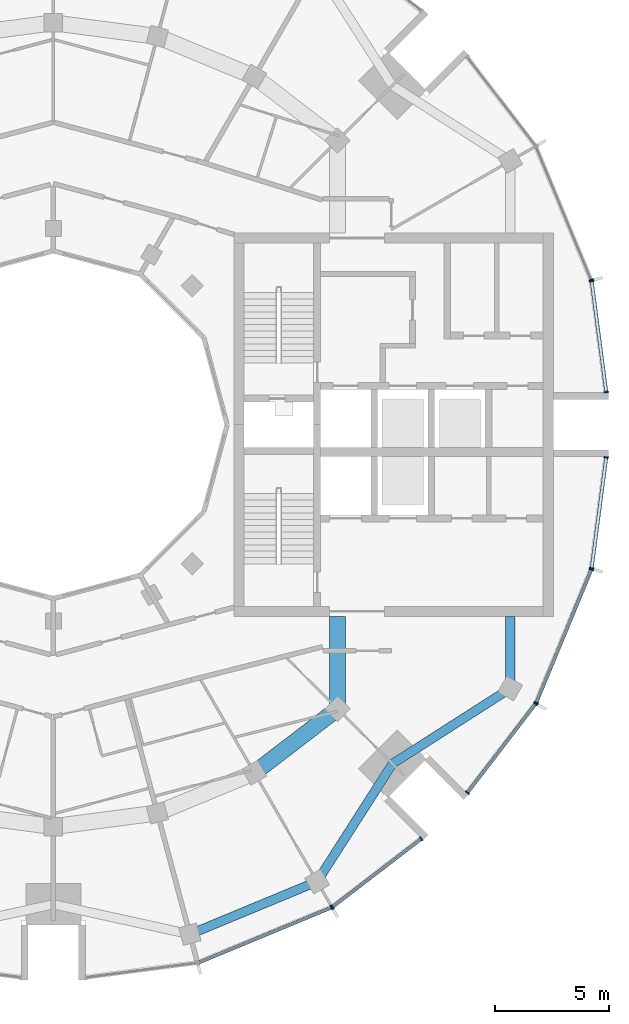
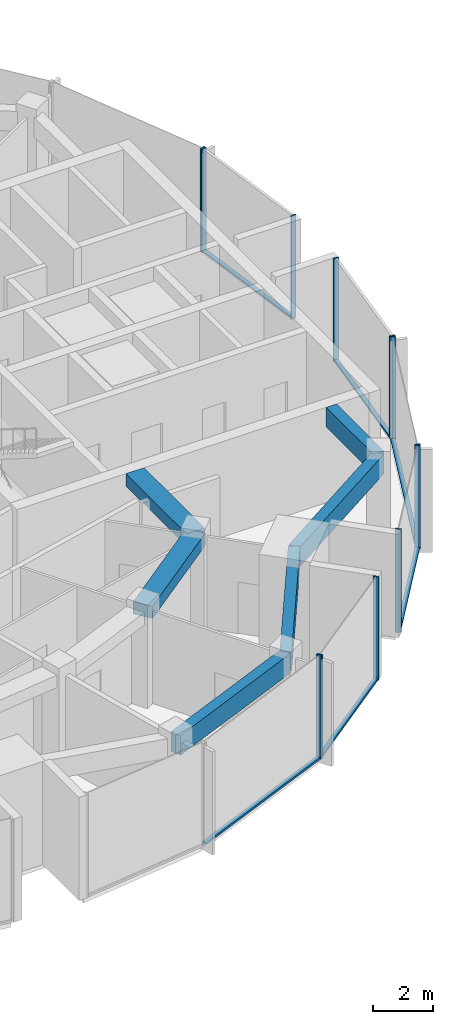
# One storey, part 4 of 15: 18 members, 6 beams, 7 elements without a shape of their own.
"""IFC4 building model written with IfcOpenShell, lengths in metres."""

import ifcopenshell
import ifcopenshell.guid

model = None  # the IFC model being written
_history = None  # IfcOwnerHistory: only IFC2X3 demands one
_inside = {}  # id of a spatial element -> (the spatial element, [elements in it])
_under = {}  # id of a project, library or spatial element -> (it, [spatial elements below it])
_declared = {}  # id of a project -> (the project, [libraries it declares])
_typed = {}  # id of a type object -> (the type object, [elements of that type])
_made_of = {}  # id of a material, layer set ... -> (it, [elements and type objects made of it])


def new_model(schema):
    """Start an empty IFC model of exactly this schema.

    Asked for "IFC4X3", IfcOpenShell would pick the latest addendum, in which some entities
    have other attributes; the version numbers below select the first issue.
    IFC2X3 requires an IfcOwnerHistory on every rooted entity: one is made here for all.
    """
    global model, _history
    if schema == "IFC4X3":
        model = ifcopenshell.file(schema_version=(4, 3, 0, 0))
    else:
        model = ifcopenshell.file(schema=schema)
    _inside.clear()
    _under.clear()
    _declared.clear()
    _typed.clear()
    _made_of.clear()
    _history = None
    if model.schema == "IFC2X3":
        org = make("IfcOrganization", Name="unknown")
        user = make(
            "IfcPersonAndOrganization",
            ThePerson=make("IfcPerson", FamilyName="unknown"),
            TheOrganization=org,
        )
        app = make(
            "IfcApplication",
            ApplicationDeveloper=org,
            Version="unknown",
            ApplicationFullName="unknown",
            ApplicationIdentifier="unknown",
        )
        _history = make(
            "IfcOwnerHistory",
            OwningUser=user,
            OwningApplication=app,
            ChangeAction="ADDED",
            CreationDate=0,
        )
    return model


def make(cls, **values):
    """One entity of the class cls with the attributes given. An attribute that is None is left unset."""
    return model.create_entity(
        cls, **{name: value for name, value in values.items() if value is not None}
    )


def rooted(cls, **values):
    """An entity with a GlobalId (a new one), such as an element, a storey or a relation."""
    return make(cls, GlobalId=ifcopenshell.guid.new(), OwnerHistory=_history, **values)


def si_unit(unit_type, name, prefix=None):
    """IfcSIUnit, for example si_unit("LENGTHUNIT", "METRE", prefix="MILLI")."""
    return make("IfcSIUnit", UnitType=unit_type, Prefix=prefix, Name=name)


def assignment(units):
    """IfcUnitAssignment: the units of a project."""
    return None if units is None else make("IfcUnitAssignment", Units=units)


def point(xyz):
    """IfcCartesianPoint."""
    return None if xyz is None else make("IfcCartesianPoint", Coordinates=xyz)


def direction(xyz):
    """IfcDirection."""
    return None if xyz is None else make("IfcDirection", DirectionRatios=xyz)


def frame(location, z_axis=None, x_axis=None):
    """IfcAxis2Placement3D, a coordinate frame: its origin and axes. An axis left out is left unset."""
    return make(
        "IfcAxis2Placement3D",
        Location=point(location),
        Axis=direction(z_axis),
        RefDirection=direction(x_axis),
    )


def frame_2d(location, x_axis=None):
    """IfcAxis2Placement2D, a coordinate frame in the plane: its origin and x axis."""
    return make(
        "IfcAxis2Placement2D", Location=point(location), RefDirection=direction(x_axis)
    )


def origin():
    """The frame at (0, 0, 0) with its axes left unset."""
    return frame((0.0, 0.0, 0.0))


def origin_2d():
    """The frame at (0, 0) in the plane with its x axis left unset."""
    return frame_2d((0.0, 0.0))


def place(relative_to, where):
    """IfcLocalPlacement: puts the frame where relative to a parent placement (None: the world)."""
    return make(
        "IfcLocalPlacement", PlacementRelTo=relative_to, RelativePlacement=where
    )


def context(
    kind, dimensions, precision=None, world=None, true_north=None, identifier=None
):
    """IfcGeometricRepresentationContext, for example the 3D "Model" context."""
    return make(
        "IfcGeometricRepresentationContext",
        ContextIdentifier=identifier,
        ContextType=kind,
        CoordinateSpaceDimension=dimensions,
        Precision=precision,
        WorldCoordinateSystem=world,
        TrueNorth=true_north,
    )


def subcontext(parent, identifier, kind, view, scale=None):
    """IfcGeometricRepresentationSubContext, for example "Body" below "Model"."""
    return make(
        "IfcGeometricRepresentationSubContext",
        ContextIdentifier=identifier,
        ContextType=kind,
        ParentContext=parent,
        TargetScale=scale,
        TargetView=view,
    )


def project(units=None, contexts=None):
    """IfcProject with its units and contexts."""
    return rooted(
        "IfcProject",
        Name="project",
        RepresentationContexts=contexts,
        UnitsInContext=assignment(units),
    )


def spatial(cls, under=None, at=None, **own):
    """A site, building, storey or space (cls), placed at a placement, below another one or the project."""
    s = rooted(cls, ObjectPlacement=at, **own)
    if under is not None:
        _under.setdefault(under.id(), (under, []))[1].append(s)
    return s


def profile(cls, at=None, kind="AREA", **sizes):
    """A parametric profile (cls). Its sizes go by their IFC names, for example OverallWidth=200.0."""
    return make(cls, ProfileType=kind, Position=at, **sizes)


def rectangle(**sizes):
    """IfcRectangleProfileDef."""
    return profile("IfcRectangleProfileDef", **sizes)


def extrude(swept, where, along, depth):
    """IfcExtrudedAreaSolid: the profile swept, set in the frame where, extruded along a direction by depth."""
    return make(
        "IfcExtrudedAreaSolid",
        SweptArea=swept,
        Position=where,
        ExtrudedDirection=direction(along),
        Depth=depth,
    )


def shape(context_of_items, identifier, shape_type, items):
    """IfcShapeRepresentation: the items that make up one representation, for example the "Body"."""
    return make(
        "IfcShapeRepresentation",
        ContextOfItems=context_of_items,
        RepresentationIdentifier=identifier,
        RepresentationType=shape_type,
        Items=items,
    )


def material(Name=None, Category=None):
    """IfcMaterial."""
    return make("IfcMaterial", Name=Name, Category=Category)


def layer(
    of_material, thickness, ventilated=None, Name=None, Category=None, Priority=None
):
    """IfcMaterialLayer: one layer of a wall or slab, of a material (None: an air gap)."""
    return make(
        "IfcMaterialLayer",
        Material=of_material,
        LayerThickness=thickness,
        IsVentilated=ventilated,
        Name=Name,
        Category=Category,
        Priority=Priority,
    )


def layer_set(layers, Name=None):
    """IfcMaterialLayerSet."""
    return make("IfcMaterialLayerSet", MaterialLayers=layers, LayerSetName=Name)


def material_profile(
    of_material, cross_section, Name=None, Category=None, Priority=None
):
    """IfcMaterialProfile: a cross section and its material."""
    return make(
        "IfcMaterialProfile",
        Name=Name,
        Material=of_material,
        Profile=cross_section,
        Priority=Priority,
        Category=Category,
    )


def profile_set(profiles, Name=None, composite=None):
    """IfcMaterialProfileSet."""
    return make(
        "IfcMaterialProfileSet",
        Name=Name,
        MaterialProfiles=profiles,
        CompositeProfile=composite,
    )


def made_of(thing, what):
    """Note that an element or type object is made of a material, layer set ...; save() writes the relation."""
    if what is not None:
        _made_of.setdefault(what.id(), (what, []))[1].append(thing)
    return thing


def type_object(cls, material=None, **own):
    """A type object (cls), such as IfcWallType, which elements share."""
    return made_of(rooted(cls, **own), material)


def element(
    cls,
    number,
    at=None,
    inside=None,
    cuts=None,
    type_object=None,
    material=None,
    context=None,
    identifier="Body",
    shape_type=None,
    held_by="IfcProductDefinitionShape",
    body=None,
    shapes=None,
    **own,
):
    """One element of the class cls, such as IfcWall. Its Tag is "e" and its number.

    at: its placement. inside: the storey or other place that contains it. cuts: it is an
    opening in that element (IfcRelVoidsElement). A single representation is given by context,
    identifier, shape_type and body (its items); several are given by shapes. held_by: the class
    of the entity that holds the representations. save() writes the other relations.
    """
    e = rooted(cls, Tag="e%d" % number, ObjectPlacement=at, **own)
    if body is not None:
        shapes = [shape(context, identifier, shape_type, body)]
    if shapes is not None:
        e.Representation = make(held_by, Representations=shapes)
    if inside is not None:
        _inside.setdefault(inside.id(), (inside, []))[1].append(e)
    if cuts is not None:
        rooted(
            "IfcRelVoidsElement", RelatingBuildingElement=cuts, RelatedOpeningElement=e
        )
    if type_object is not None:
        _typed.setdefault(type_object.id(), (type_object, []))[1].append(e)
    return made_of(e, material)


def aggregate(whole, parts):
    """IfcRelAggregates: a whole, such as a stair, and the parts it consists of."""
    return rooted("IfcRelAggregates", RelatingObject=whole, RelatedObjects=parts)


def save(model, path):
    """Write the relations noted so far, then the file.

    IfcRelAggregates (storeys below a building ...), IfcRelContainedInSpatialStructure (elements
    in a storey), IfcRelDefinesByType, IfcRelAssociatesMaterial and IfcRelDeclares: one each for
    every whole, place, type object, material and project.
    """
    for whole, parts in _under.values():
        aggregate(whole, parts)
    for where, things in _inside.values():
        rooted(
            "IfcRelContainedInSpatialStructure",
            RelatedElements=things,
            RelatingStructure=where,
        )
    for kind, things in _typed.values():
        rooted("IfcRelDefinesByType", RelatedObjects=things, RelatingType=kind)
    for what, things in _made_of.values():
        rooted("IfcRelAssociatesMaterial", RelatedObjects=things, RelatingMaterial=what)
    for by, libraries in _declared.values():
        rooted("IfcRelDeclares", RelatingContext=by, RelatedDefinitions=libraries)
    model.write(path)


model = new_model("IFC4")

# Units and contexts
model_context = context("Model", 3, precision=1e-05, world=origin(), true_north=direction((0.0, 1.0)))
body_context = subcontext(model_context, "Body", "Model", "MODEL_VIEW")
ifc_project = project(units=[si_unit("LENGTHUNIT", "METRE"), si_unit("AREAUNIT", "SQUARE_METRE"), si_unit("VOLUMEUNIT", "CUBIC_METRE"), si_unit("PLANEANGLEUNIT", "RADIAN"), si_unit("MASSUNIT", "GRAM", prefix="KILO")], contexts=[model_context])

# Site, building, storey
site_placement = place(None, origin())
site = spatial("IfcSite", under=ifc_project, at=site_placement, CompositionType="ELEMENT")
building_placement = place(site_placement, origin())
building = spatial("IfcBuilding", under=site, at=building_placement, Name="Torre Brocal", CompositionType="ELEMENT")
storey_placement = place(building_placement, frame((0.0, 0.0, 284.10009765625)))
storey = spatial("IfcBuildingStorey", under=building, at=storey_placement, Name="L65", CompositionType="ELEMENT", Elevation=284.10009765625)

# Curtain wall, member
ifc_material_1 = material(Name="Aluminium and glass", Category="aluminium")
ifc_layer_1 = layer(ifc_material_1, 0.199951171875)
ifc_layer_set_1 = layer_set([ifc_layer_1], Name="Aluminium and glass")
curtain_wall_type_1 = type_object("IfcCurtainWallType", Name="CW-1 CURTAIN WALL 4200 HIGH", PredefinedType="NOTDEFINED", material=ifc_layer_set_1)
curtain_wall_1_placement = place(storey_placement, origin())
curtain_wall_1 = element("IfcCurtainWall", 1, at=curtain_wall_1_placement, inside=storey, type_object=curtain_wall_type_1, Name="CW-1 RUN 2", PredefinedType="NOTDEFINED")
ifc_material_2 = material(Name="Aluminium, dark anodised", Category="aluminium")
ifc_material_profile_1 = material_profile(ifc_material_2, rectangle(XDim=0.199951171875, YDim=0.06005859375, at=origin_2d()), Name="CW-1 MULLION 60X200")
ifc_profile_set_1 = profile_set([ifc_material_profile_1], Name="Aluminium, dark anodised")
member_type_1 = type_object("IfcMemberType", Name="CW-1 MULLION 60X200", PredefinedType="MULLION", material=ifc_profile_set_1)
member_1_placement = place(storey_placement, frame((103.556396484375, 81.3427734375, 0.0), z_axis=(0.0, 0.0, 1.0), x_axis=(-0.923879532471, -0.382683432462, 0.0)))
member_1 = element("IfcMember", 2, at=member_1_placement, type_object=member_type_1, Name="CW1-5 mullion 1", PredefinedType="MULLION", context=body_context, shape_type="SweptSolid", body=[
    extrude(rectangle(XDim=0.199951171875, YDim=0.06005859375, at=origin_2d()), origin(), (0.0, 0.0, 1.0), 4.199951171875),
])
aggregate(curtain_wall_1, [member_1])

curtain_wall_2_placement = place(storey_placement, origin())
curtain_wall_2 = element("IfcCurtainWall", 3, at=curtain_wall_2_placement, inside=storey, type_object=curtain_wall_type_1, Name="CW-1 RUN 20", PredefinedType="NOTDEFINED")
member_2_placement = place(storey_placement, frame((92.171875, 53.858154296875, 0.0), z_axis=(0.0, 0.0, 1.0), x_axis=(-0.382683432462, 0.923879532471, 0.0)))
member_2 = element("IfcMember", 4, at=member_2_placement, type_object=member_type_1, Name="CW1-5 mullion 2", PredefinedType="MULLION", context=body_context, shape_type="SweptSolid", body=[
    extrude(rectangle(XDim=0.199951171875, YDim=0.06005859375, at=origin_2d()), origin(), (0.0, 0.0, 1.0), 4.199951171875),
])

# Curtain wall, members
curtain_wall_3_placement = place(storey_placement, origin())
curtain_wall_3 = element("IfcCurtainWall", 5, at=curtain_wall_3_placement, inside=storey, type_object=curtain_wall_type_1, Name="CW-1 RUN 21", PredefinedType="NOTDEFINED")
member_3_placement = place(storey_placement, frame((92.223388671875, 53.887939453125, 0.0), z_axis=(0.0, 0.0, 1.0), x_axis=(-0.608761428939, 0.793353340344, 0.0)))
member_3 = element("IfcMember", 6, at=member_3_placement, type_object=member_type_1, Name="CW1-5 mullion 1", PredefinedType="MULLION", context=body_context, shape_type="SweptSolid", body=[
    extrude(rectangle(XDim=0.199951171875, YDim=0.06005859375, at=origin_2d()), origin(), (0.0, 0.0, 1.0), 4.199951171875),
])
member_4_placement = place(storey_placement, frame((96.108642578125, 56.869384765625, 0.0), z_axis=(0.0, 0.0, 1.0), x_axis=(-0.608761428939, 0.793353340344, 0.0)))
member_4 = element("IfcMember", 7, at=member_4_placement, type_object=member_type_1, Name="CW1-5 mullion 2", PredefinedType="MULLION", context=body_context, shape_type="SweptSolid", body=[
    extrude(rectangle(XDim=0.199951171875, YDim=0.06005859375, at=origin_2d()), origin(), (0.0, 0.0, 1.0), 4.199951171875),
])

curtain_wall_4_placement = place(storey_placement, origin())
curtain_wall_4 = element("IfcCurtainWall", 8, at=curtain_wall_4_placement, inside=storey, type_object=curtain_wall_type_1, Name="CW-1 RUN 22", PredefinedType="NOTDEFINED")
member_5_placement = place(storey_placement, frame((98.130615234375, 58.891357421875, 0.0), z_axis=(0.0, 0.0, 1.0), x_axis=(-0.793353340344, 0.608761428939, 0.0)))
member_5 = element("IfcMember", 9, at=member_5_placement, type_object=member_type_1, Name="CW1-5 mullion 1", PredefinedType="MULLION", context=body_context, shape_type="SweptSolid", body=[
    extrude(rectangle(XDim=0.199951171875, YDim=0.06005859375, at=origin_2d()), origin(), (0.0, 0.0, 1.0), 4.199951171875),
])
member_6_placement = place(storey_placement, frame((101.112060546875, 62.776611328125, 0.0), z_axis=(0.0, 0.0, 1.0), x_axis=(-0.793353340344, 0.608761428939, 0.0)))
member_6 = element("IfcMember", 10, at=member_6_placement, type_object=member_type_1, Name="CW1-5 mullion 2", PredefinedType="MULLION", context=body_context, shape_type="SweptSolid", body=[
    extrude(rectangle(XDim=0.199951171875, YDim=0.06005859375, at=origin_2d()), origin(), (0.0, 0.0, 1.0), 4.199951171875),
])

curtain_wall_5_placement = place(storey_placement, origin())
curtain_wall_5 = element("IfcCurtainWall", 11, at=curtain_wall_5_placement, inside=storey, type_object=curtain_wall_type_1, Name="CW-1 RUN 23", PredefinedType="NOTDEFINED")
member_7_placement = place(storey_placement, frame((101.141845703125, 62.828125, 0.0), z_axis=(0.0, 0.0, 1.0), x_axis=(-0.923879532471, 0.382683432462, 0.0)))
member_7 = element("IfcMember", 12, at=member_7_placement, type_object=member_type_1, Name="CW1-5 mullion 1", PredefinedType="MULLION", context=body_context, shape_type="SweptSolid", body=[
    extrude(rectangle(XDim=0.199951171875, YDim=0.06005859375, at=origin_2d()), origin(), (0.0, 0.0, 1.0), 4.199951171875),
])
member_8_placement = place(storey_placement, frame((103.556396484375, 68.6572265625, 0.0), z_axis=(0.0, 0.0, 1.0), x_axis=(-0.923879532471, 0.382683432462, 0.0)))
member_8 = element("IfcMember", 13, at=member_8_placement, type_object=member_type_1, Name="CW1-5 mullion 2", PredefinedType="MULLION", context=body_context, shape_type="SweptSolid", body=[
    extrude(rectangle(XDim=0.199951171875, YDim=0.06005859375, at=origin_2d()), origin(), (0.0, 0.0, 1.0), 4.199951171875),
])

# Member
ifc_material_3 = material(Name="Aluminium, dark anodised", Category="aluminium")
ifc_material_profile_2 = material_profile(ifc_material_3, rectangle(XDim=0.159912109375, YDim=0.080078125, at=origin_2d()), Name="CW-1 TRANSOM 160X80")
ifc_profile_set_2 = profile_set([ifc_material_profile_2], Name="Aluminium, dark anodised")
member_type_2 = type_object("IfcMemberType", Name="CW-1 TRANSOM 160X80", PredefinedType="USERDEFINED", material=ifc_profile_set_2)
member_9_placement = place(storey_placement, frame((86.370361328125, 51.455322265625, 0.039794921875), z_axis=(0.923889705363, 0.382658872004, 0.0), x_axis=(-0.382658872004, 0.923889705363, 0.0)))
member_9 = element("IfcMember", 14, at=member_9_placement, type_object=member_type_2, Name="CW1-5 transom 1.1", ObjectType="TRANSOM", PredefinedType="USERDEFINED", context=body_context, shape_type="SweptSolid", body=[
    extrude(rectangle(XDim=0.159912109375, YDim=0.080078125, at=origin_2d()), origin(), (0.0, 0.0, 1.0), 6.249267578125),
])

aggregate(curtain_wall_2, [member_2, member_9])

member_10_placement = place(storey_placement, frame((92.2470703125, 53.90625, 0.039794921875), z_axis=(0.793362608569, 0.608749350163, 0.0), x_axis=(-0.608749350163, 0.793362608569, 0.0)))
member_10 = element("IfcMember", 15, at=member_10_placement, type_object=member_type_2, Name="CW1-5 transom 1.1", ObjectType="TRANSOM", PredefinedType="USERDEFINED", context=body_context, shape_type="SweptSolid", body=[
    extrude(rectangle(XDim=0.159912109375, YDim=0.080078125, at=origin_2d()), origin(), (0.0, 0.0, 1.0), 4.83740234375),
])

aggregate(curtain_wall_3, [member_3, member_4, member_10])

member_11_placement = place(storey_placement, frame((98.14892578125, 58.9150390625, 0.039794921875), z_axis=(0.608749350163, 0.793362608569, 0.0), x_axis=(-0.793362608569, 0.608749350163, 0.0)))
member_11 = element("IfcMember", 16, at=member_11_placement, type_object=member_type_2, Name="CW1-5 transom 1.1", ObjectType="TRANSOM", PredefinedType="USERDEFINED", context=body_context, shape_type="SweptSolid", body=[
    extrude(rectangle(XDim=0.159912109375, YDim=0.080078125, at=origin_2d()), origin(), (0.0, 0.0, 1.0), 4.83740234375),
])

aggregate(curtain_wall_4, [member_5, member_6, member_11])

member_12_placement = place(storey_placement, frame((101.1533203125, 62.85595703125, 0.039794921875), z_axis=(0.382658872004, 0.923889705363, 0.0), x_axis=(-0.923889705363, 0.382658872004, 0.0)))
member_12 = element("IfcMember", 17, at=member_12_placement, type_object=member_type_2, Name="CW1-5 transom 1.1", ObjectType="TRANSOM", PredefinedType="USERDEFINED", context=body_context, shape_type="SweptSolid", body=[
    extrude(rectangle(XDim=0.159912109375, YDim=0.080078125, at=origin_2d()), origin(), (0.0, 0.0, 1.0), 6.249267578125),
])

aggregate(curtain_wall_5, [member_7, member_8, member_12])

# Curtain wall, members
ifc_material_4 = material(Name="Aluminium and glass", Category="aluminium")
ifc_layer_2 = layer(ifc_material_4, 0.199951171875)
ifc_layer_set_2 = layer_set([ifc_layer_2], Name="Aluminium and glass")
curtain_wall_type_2 = type_object("IfcCurtainWallType", Name="CW-1B CURTAIN WALL 4200 HIGH", PredefinedType="NOTDEFINED", material=ifc_layer_set_2)
curtain_wall_6_placement = place(storey_placement, origin())
curtain_wall_6 = element("IfcCurtainWall", 18, at=curtain_wall_6_placement, inside=storey, type_object=curtain_wall_type_2, Name="CW-1B RUN 1", PredefinedType="NOTDEFINED")
ifc_material_5 = material(Name="Aluminium, dark anodised", Category="aluminium")
ifc_material_profile_3 = material_profile(ifc_material_5, rectangle(XDim=0.199951171875, YDim=0.06005859375, at=origin_2d()), Name="CW-1B MULLION 60X200")
ifc_profile_set_3 = profile_set([ifc_material_profile_3], Name="Aluminium, dark anodised")
member_type_3 = type_object("IfcMemberType", Name="CW-1B MULLION 60X200", PredefinedType="MULLION", material=ifc_profile_set_3)
member_13_placement = place(storey_placement, frame((104.2109375, 76.4296875, 0.0), z_axis=(0.0, 0.0, 1.0), x_axis=(-0.991444861387, -0.130526192116, 0.0)))
member_13 = element("IfcMember", 19, at=member_13_placement, type_object=member_type_3, Name="CW1B-5 mullion 1", PredefinedType="MULLION", context=body_context, shape_type="SweptSolid", body=[
    extrude(rectangle(XDim=0.199951171875, YDim=0.06005859375, at=origin_2d()), origin(), (0.0, 0.0, 1.0), 4.199951171875),
])
member_14_placement = place(storey_placement, frame((103.57177734375, 81.28515625, 0.0), z_axis=(0.0, 0.0, 1.0), x_axis=(-0.991444861387, -0.130526192116, 0.0)))
member_14 = element("IfcMember", 20, at=member_14_placement, type_object=member_type_3, Name="CW1B-5 mullion 2", PredefinedType="MULLION", context=body_context, shape_type="SweptSolid", body=[
    extrude(rectangle(XDim=0.199951171875, YDim=0.06005859375, at=origin_2d()), origin(), (0.0, 0.0, 1.0), 4.199951171875),
])

curtain_wall_7_placement = place(storey_placement, origin())
curtain_wall_7 = element("IfcCurtainWall", 21, at=curtain_wall_7_placement, inside=storey, type_object=curtain_wall_type_2, Name="CW-1B RUN 24", PredefinedType="NOTDEFINED")
member_15_placement = place(storey_placement, frame((103.57177734375, 68.71484375, 0.0), z_axis=(0.0, 0.0, 1.0), x_axis=(-0.991444861387, 0.130526192116, 0.0)))
member_15 = element("IfcMember", 22, at=member_15_placement, type_object=member_type_3, Name="CW1B-5 mullion 1", PredefinedType="MULLION", context=body_context, shape_type="SweptSolid", body=[
    extrude(rectangle(XDim=0.199951171875, YDim=0.06005859375, at=origin_2d()), origin(), (0.0, 0.0, 1.0), 4.199951171875),
])
member_16_placement = place(storey_placement, frame((104.2109375, 73.5703125, 0.0), z_axis=(0.0, 0.0, 1.0), x_axis=(-0.991444861387, 0.130526192116, 0.0)))
member_16 = element("IfcMember", 23, at=member_16_placement, type_object=member_type_3, Name="CW1B-5 mullion 2", PredefinedType="MULLION", context=body_context, shape_type="SweptSolid", body=[
    extrude(rectangle(XDim=0.199951171875, YDim=0.06005859375, at=origin_2d()), origin(), (0.0, 0.0, 1.0), 4.199951171875),
])

# Member
ifc_material_6 = material(Name="Aluminium, dark anodised", Category="aluminium")
ifc_material_profile_4 = material_profile(ifc_material_6, rectangle(XDim=0.159912109375, YDim=0.080078125, at=origin_2d()), Name="CW-1B TRANSOM 160X80")
ifc_profile_set_4 = profile_set([ifc_material_profile_4], Name="Aluminium, dark anodised")
member_type_4 = type_object("IfcMemberType", Name="CW-1B TRANSOM 160X80", PredefinedType="USERDEFINED", material=ifc_profile_set_4)
member_17_placement = place(storey_placement, frame((104.20703125, 76.45947265625, 0.039794921875), z_axis=(-0.130517179786, 0.991446047842, 0.0), x_axis=(-0.991446047842, -0.130517179786, 0.0)))
member_17 = element("IfcMember", 24, at=member_17_placement, type_object=member_type_4, Name="CW1B-5 transom 1.1", ObjectType="TRANSOM", PredefinedType="USERDEFINED", context=body_context, shape_type="SweptSolid", body=[
    extrude(rectangle(XDim=0.159912109375, YDim=0.080078125, at=origin_2d()), origin(), (0.0, 0.0, 1.0), 4.837158203125),
])

aggregate(curtain_wall_6, [member_13, member_14, member_17])

member_18_placement = place(storey_placement, frame((103.57568359375, 68.74462890625, 0.039794921875), z_axis=(0.130517179786, 0.991446047842, 0.0), x_axis=(-0.991446047842, 0.130517179786, 0.0)))
member_18 = element("IfcMember", 25, at=member_18_placement, type_object=member_type_4, Name="CW1B-5 transom 1.1", ObjectType="TRANSOM", PredefinedType="USERDEFINED", context=body_context, shape_type="SweptSolid", body=[
    extrude(rectangle(XDim=0.159912109375, YDim=0.080078125, at=origin_2d()), origin(), (0.0, 0.0, 1.0), 4.837158203125),
])

aggregate(curtain_wall_7, [member_15, member_16, member_18])

# Beams
ifc_material_7 = material(Name="Concrete C50", Category="concrete")
ifc_material_profile_5 = material_profile(ifc_material_7, rectangle(XDim=0.699951171875, YDim=0.5, at=origin_2d()), Name="RC 700X500")
ifc_profile_set_5 = profile_set([ifc_material_profile_5], Name="Concrete C50")
beam_type_1 = type_object("IfcBeamType", Name="RC BEAM 700X500 C50 TOP 3880", PredefinedType="BEAM", material=ifc_profile_set_5)
beam_1_placement = place(storey_placement, frame((88.800048828125, 59.758056640625, 3.6298828125), z_axis=(0.793358265959, 0.6087550097, 0.0), x_axis=(-0.6087550097, 0.793358265959, 0.0)))
element("IfcBeam", 26, at=beam_1_placement, inside=storey, type_object=beam_type_1, Name="Beam BT-37", PredefinedType="BEAM", context=body_context, shape_type="SweptSolid", body=[
    extrude(rectangle(XDim=0.699951171875, YDim=0.5, at=origin_2d()), origin(), (0.0, 0.0, 1.0), 4.594482421875),
])
beam_2_placement = place(storey_placement, frame((92.445068359375, 62.554931640625, 3.6298828125), z_axis=(0.0, 1.0, 0.0), x_axis=(-1.0, 0.0, 0.0)))
element("IfcBeam", 27, at=beam_2_placement, inside=storey, type_object=beam_type_1, Name="Beam BT-37", PredefinedType="BEAM", context=body_context, shape_type="SweptSolid", body=[
    extrude(rectangle(XDim=0.699951171875, YDim=0.5, at=origin_2d()), origin(), (0.0, 0.0, 1.0), 4.045166015625),
])
ifc_material_8 = material(Name="Concrete C50", Category="concrete")
ifc_material_profile_6 = material_profile(ifc_material_8, rectangle(XDim=0.39990234375, YDim=0.800048828125, at=origin_2d()), Name="RC 400X800")
ifc_profile_set_6 = profile_set([ifc_material_profile_6], Name="Concrete C50")
beam_type_2 = type_object("IfcBeamType", Name="RC SPANDREL BEAM 400X800 C50 TOP 3880", PredefinedType="SPANDREL", material=ifc_profile_set_6)
beam_3_placement = place(storey_placement, frame((85.978759765625, 52.68701171875, 3.47998046875), z_axis=(0.923870278372, 0.38270577307, 0.0), x_axis=(-0.38270577307, 0.923870278372, 0.0)))
element("IfcBeam", 28, at=beam_3_placement, inside=storey, type_object=beam_type_2, Name="Beam BT-47", PredefinedType="SPANDREL", context=body_context, shape_type="SweptSolid", body=[
    extrude(rectangle(XDim=0.39990234375, YDim=0.800048828125, at=origin_2d()), origin(), (0.0, 0.0, 1.0), 6.0302734375),
])
for number, where, z_axis, x_axis, name in (
    (29, (91.550048828125, 54.994873046875, 3.47998046875), (0.538964280647, 0.842328620069, 0.0), (-0.842328620069, 0.538964280647, 0.0), "Beam BT-47"),
    (30, (94.84912109375, 60.15087890625, 3.47998046875), (0.842328620069, 0.538964280647, 0.0), (-0.538964280647, 0.842328620069, 0.0), "Beam BT-47"),
):
    element("IfcBeam", number, at=place(storey_placement, frame(where, z_axis=z_axis, x_axis=x_axis)), inside=storey, type_object=beam_type_2, Name=name, PredefinedType="SPANDREL", context=body_context, shape_type="SweptSolid", body=[
        extrude(rectangle(XDim=0.39990234375, YDim=0.800048828125, at=origin_2d()), origin(), (0.0, 0.0, 1.0), 6.12109375),
    ])
beam_4_placement = place(storey_placement, frame((100.005126953125, 63.449951171875, 3.47998046875), z_axis=(0.0, 1.0, 0.0), x_axis=(-1.0, 0.0, 0.0)))
element("IfcBeam", 31, at=beam_4_placement, inside=storey, type_object=beam_type_2, Name="Beam BT-47", PredefinedType="SPANDREL", context=body_context, shape_type="SweptSolid", body=[
    extrude(rectangle(XDim=0.39990234375, YDim=0.800048828125, at=origin_2d()), origin(), (0.0, 0.0, 1.0), 3.150146484375),
])

save(model, "model.ifc")
